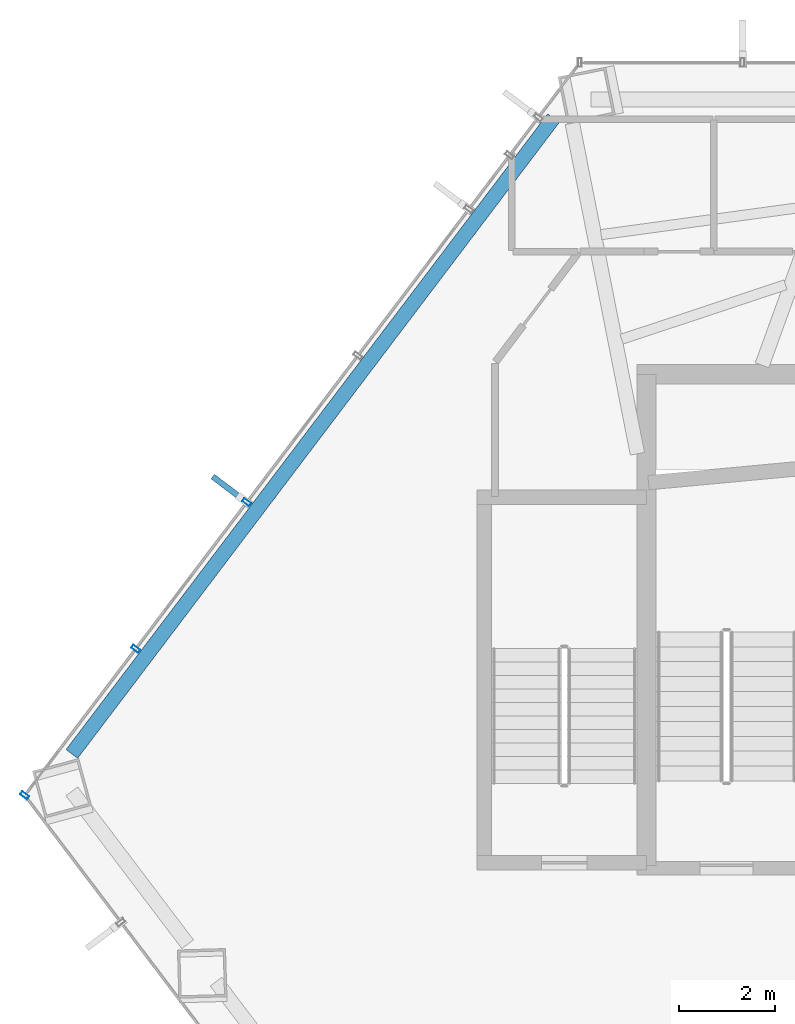
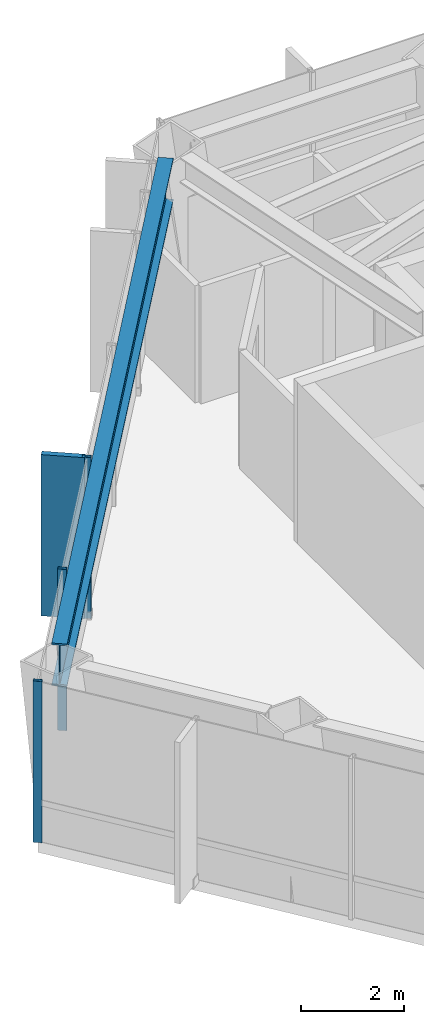
# One storey, part 11 of 26: 4 members, 1 beam, 1 element without a shape of its own.
"""IFC4 building model written with IfcOpenShell, lengths in metres."""

from ifc_helpers import new_model, si_unit, direction, frame, origin, origin_2d, place, context, subcontext, project, spatial, rectangle, hollow_rectangle, i_section, extrude, material, layer, layer_set, material_profile, profile_set, type_object, element, aggregate, save


model = new_model("IFC4")

# Units and contexts
model_context = context("Model", 3, precision=1e-05, world=origin(), true_north=direction((0.0, 1.0)))
body_context = subcontext(model_context, "Body", "Model", "MODEL_VIEW")
ifc_project = project(units=[si_unit("LENGTHUNIT", "METRE"), si_unit("AREAUNIT", "SQUARE_METRE"), si_unit("VOLUMEUNIT", "CUBIC_METRE"), si_unit("PLANEANGLEUNIT", "RADIAN"), si_unit("MASSUNIT", "GRAM", prefix="KILO")], contexts=[model_context])

# Site, building, storey
site_placement = place(None, origin())
site = spatial("IfcSite", under=ifc_project, at=site_placement, CompositionType="ELEMENT")
building_placement = place(site_placement, origin())
building = spatial("IfcBuilding", under=site, at=building_placement, Name="Zarrinselat Tower", CompositionType="ELEMENT")
storey_placement = place(building_placement, frame((0.0, 0.0, 60.179931640625)))
storey = spatial("IfcBuildingStorey", under=building, at=storey_placement, Name="L14", CompositionType="ELEMENT", Elevation=60.179931640625)

# Beam
ifc_material_1 = material(Name="Steel S460M", Category="steel")
ifc_material_profile_1 = material_profile(ifc_material_1, i_section(OverallWidth=0.302001953125, OverallDepth=1.008056640625, WebThickness=0.02099609375, FlangeThickness=0.0400390625, at=origin_2d()), Name="HEM 1000")
ifc_profile_set_1 = profile_set([ifc_material_profile_1], Name="Steel S460M")
beam_type = type_object("IfcBeamType", Name="BM-HEM1000", PredefinedType="BEAM", material=ifc_profile_set_1)
beam_placement = place(storey_placement, frame((16.65869140625, 35.56396484375, 3.316162109375), z_axis=(0.603852014642, 0.797096446118, 0.0), x_axis=(-0.797096446118, 0.603852014642, 0.0)))
element("IfcBeam", 1, at=beam_placement, inside=storey, type_object=beam_type, Name="L14 Perimeter Spandrel Girder SP05", PredefinedType="BEAM", context=body_context, shape_type="SweptSolid", body=[
    extrude(i_section(OverallWidth=0.302001953125, OverallDepth=1.008056640625, WebThickness=0.02099609375, FlangeThickness=0.0400390625, at=origin_2d()), origin(), (0.0, 0.0, 1.0), 16.570556640625),
])

# Curtain wall, members
ifc_material_2 = material(Name="Extruded Aluminium Alloy EN AW-6063 T6", Category="aluminium")
ifc_layer = layer(ifc_material_2, 0.18505859375)
ifc_layer_set = layer_set([ifc_layer], Name="Extruded Aluminium Alloy EN AW-6063 T6")
curtain_wall_type = type_object("IfcCurtainWallType", Name="CWS-OFF", PredefinedType="NOTDEFINED", material=ifc_layer_set)
curtain_wall_placement = place(storey_placement, origin())
curtain_wall = element("IfcCurtainWall", 2, at=curtain_wall_placement, inside=storey, type_object=curtain_wall_type, Name="L14 Unitised Curtain Wall CW-L14-E02", PredefinedType="NOTDEFINED")
ifc_material_3 = material(Name="Extruded Aluminium Alloy EN AW-6063 T6", Category="aluminium")
ifc_material_profile_2 = material_profile(ifc_material_3, hollow_rectangle(XDim=0.080078125, YDim=0.179931640625, WallThickness=0.0048828125, at=origin_2d()), Name="RHS 180x80x5")
ifc_profile_set_2 = profile_set([ifc_material_profile_2], Name="Extruded Aluminium Alloy EN AW-6063 T6")
member_type_1 = type_object("IfcMemberType", Name="MEM-CW-MUL", PredefinedType="MULLION", material=ifc_profile_set_2)
member_1_placement = place(storey_placement, frame((20.290771484375, 40.79248046875, 0.0), z_axis=(0.0, 0.0, 1.0), x_axis=(-0.603859502298, -0.797090773679, 0.0)))
member_1 = element("IfcMember", 3, at=member_1_placement, type_object=member_type_1, Name="CW-L14-E02 Mullion 5", PredefinedType="MULLION", context=body_context, shape_type="SweptSolid", body=[
    extrude(hollow_rectangle(XDim=0.080078125, YDim=0.179931640625, WallThickness=0.0048828125, at=origin_2d()), origin(), (0.0, 0.0, 1.0), 3.820068359375),
])
member_2_placement = place(storey_placement, frame((17.98388671875, 37.747314453125, 0.0), z_axis=(0.0, 0.0, 1.0), x_axis=(-0.603859502298, -0.797090773679, 0.0)))
member_2 = element("IfcMember", 4, at=member_2_placement, type_object=member_type_1, Name="CW-L14-E02 Mullion 6", PredefinedType="MULLION", context=body_context, shape_type="SweptSolid", body=[
    extrude(hollow_rectangle(XDim=0.080078125, YDim=0.179931640625, WallThickness=0.0048828125, at=origin_2d()), origin(), (0.0, 0.0, 1.0), 3.820068359375),
])
member_3_placement = place(storey_placement, frame((15.677001953125, 34.7021484375, 0.0), z_axis=(0.0, 0.0, 1.0), x_axis=(-0.603859502298, -0.797090773679, 0.0)))
member_3 = element("IfcMember", 5, at=member_3_placement, type_object=member_type_1, Name="CW-L14-E02 Mullion 7", PredefinedType="MULLION", context=body_context, shape_type="SweptSolid", body=[
    extrude(hollow_rectangle(XDim=0.080078125, YDim=0.179931640625, WallThickness=0.0048828125, at=origin_2d()), origin(), (0.0, 0.0, 1.0), 3.820068359375),
])
ifc_material_4 = material(Name="Honed Cream Travertine Stone", Category="masonry")
ifc_material_profile_3 = material_profile(ifc_material_4, rectangle(XDim=0.1201171875, YDim=0.85009765625, at=origin_2d()), Name="FIN 850x120")
ifc_profile_set_3 = profile_set([ifc_material_profile_3], Name="Honed Cream Travertine Stone")
member_type_2 = type_object("IfcMemberType", Name="MEM-STONE-FIN", PredefinedType="USERDEFINED", material=ifc_profile_set_3)
member_4_placement = place(storey_placement, frame((19.924072265625, 41.0703125, 0.0), z_axis=(0.0, 0.0, 1.0), x_axis=(0.603859502298, 0.797090773679, 0.0)))
member_4 = element("IfcMember", 6, at=member_4_placement, type_object=member_type_2, Name="L14 Stone Shading Fin CW-L14-E02-05", ObjectType="FIN", PredefinedType="USERDEFINED", context=body_context, shape_type="SweptSolid", body=[
    extrude(rectangle(XDim=0.1201171875, YDim=0.85009765625, at=origin_2d()), origin(), (0.0, 0.0, 1.0), 3.820068359375),
])
aggregate(curtain_wall, [member_1, member_4, member_2, member_3])

save(model, "model.ifc")
